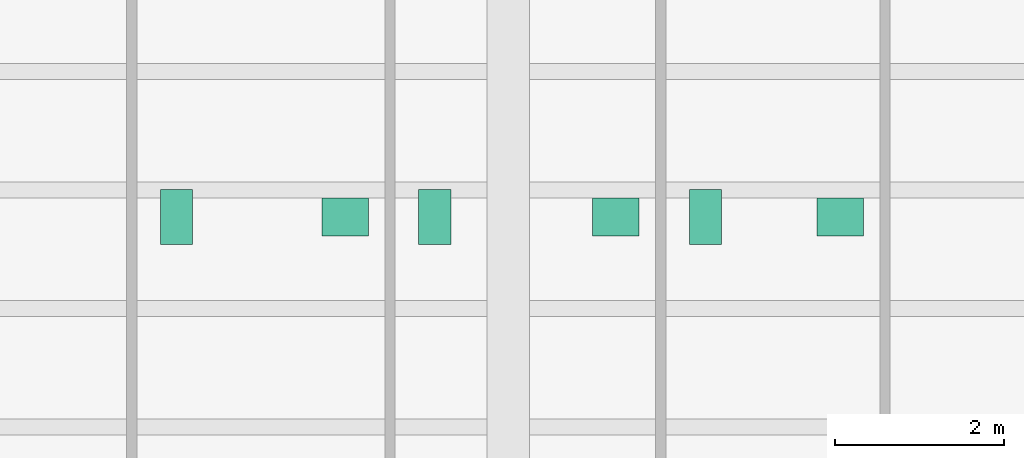
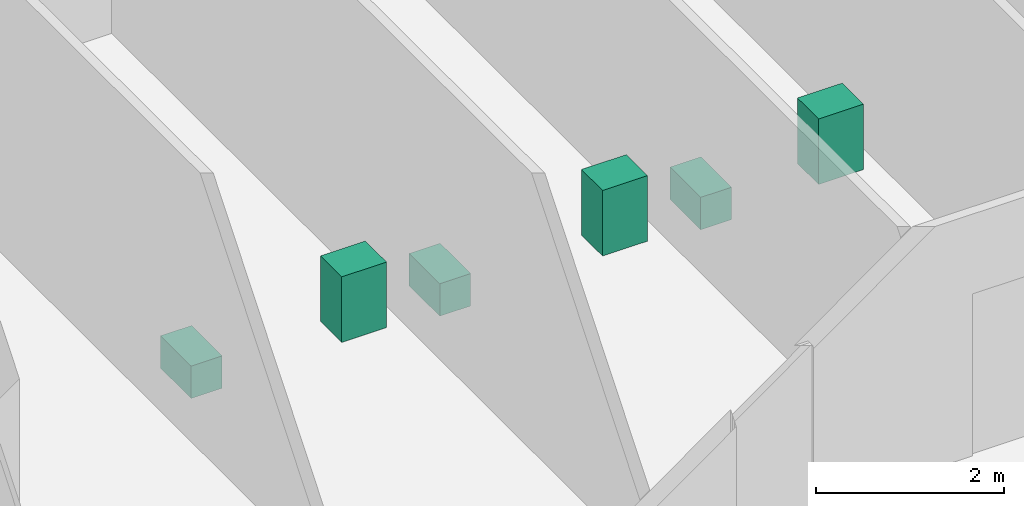
# One storey, part 10 of 10: 6 sanitary terminals.
"""IFC4 building model written with IfcOpenShell, lengths in metres."""

from ifc_helpers import new_model, si_unit, direction, frame, origin, origin_2d, place, context, subcontext, project, spatial, rectangle, extrude, material, type_object, element, save


model = new_model("IFC4")

# Units and contexts
model_context = context("Model", 3, precision=1e-05, world=origin(), true_north=direction((0.0, 1.0)))
body_context = subcontext(model_context, "Body", "Model", "MODEL_VIEW")
ifc_project = project(units=[si_unit("LENGTHUNIT", "METRE"), si_unit("AREAUNIT", "SQUARE_METRE"), si_unit("VOLUMEUNIT", "CUBIC_METRE"), si_unit("PLANEANGLEUNIT", "RADIAN"), si_unit("MASSUNIT", "GRAM", prefix="KILO")], contexts=[model_context])

# Site, building, storey
site_placement = place(None, origin())
site = spatial("IfcSite", under=ifc_project, at=site_placement, CompositionType="ELEMENT")
building_placement = place(site_placement, origin())
building = spatial("IfcBuilding", under=site, at=building_placement, Name="Kranthara Brick Stack", CompositionType="ELEMENT")
storey_placement = place(building_placement, frame((0.0, 0.0, 36.0)))
storey = spatial("IfcBuildingStorey", under=building, at=storey_placement, Name="L08", CompositionType="ELEMENT", Elevation=36.0)

# Sanitary terminals
ifc_material_1 = material(Name="Vitreous china sanitary porcelain", Category="other")
sanitary_terminal_type_1 = type_object("IfcSanitaryTerminalType", Name="SAN-BASIN", PredefinedType="WASHHANDBASIN", material=ifc_material_1)
for number, where, z_axis, x_axis, name in (
    (1, (26.070068359375, 29.985107421875, 0.0), (0.0, 0.0, 1.0), (1.0, 0.0, 0.0), "L08 Washbasin 22"),
    (2, (29.27001953125, 29.985107421875, 0.0), (0.0, 0.0, 1.0), (1.0, 0.0, 0.0), "L08 Washbasin 23"),
    (3, (31.919921875, 29.985107421875, 0.0), (0.0, 0.0, 1.0), (1.0, 0.0, 0.0), "L08 Washbasin 24"),
):
    element("IfcSanitaryTerminal", number, at=place(storey_placement, frame(where, z_axis=z_axis, x_axis=x_axis)), inside=storey, type_object=sanitary_terminal_type_1, Name=name, PredefinedType="WASHHANDBASIN", context=body_context, shape_type="SweptSolid", body=[
        extrude(rectangle(XDim=0.550048828125, YDim=0.449951171875, at=origin_2d()), origin(), (0.0, 0.0, 1.0), 0.85009765625),
    ])
ifc_material_2 = material(Name="Vitreous china sanitary porcelain", Category="other")
sanitary_terminal_type_2 = type_object("IfcSanitaryTerminalType", Name="SAN-WC-PAN", PredefinedType="TOILETPAN", material=ifc_material_2)
for number, where, z_axis, x_axis, name in (
    (4, (24.080078125, 29.985107421875, 0.0), (0.0, 0.0, 1.0), (1.0, 0.0, 0.0), "L08 WC Pan 22"),
    (5, (27.1298828125, 29.985107421875, 0.0), (0.0, 0.0, 1.0), (1.0, 0.0, 0.0), "L08 WC Pan 23"),
    (6, (30.330078125, 29.985107421875, 0.0), (0.0, 0.0, 1.0), (1.0, 0.0, 0.0), "L08 WC Pan 24"),
):
    element("IfcSanitaryTerminal", number, at=place(storey_placement, frame(where, z_axis=z_axis, x_axis=x_axis)), inside=storey, type_object=sanitary_terminal_type_2, Name=name, PredefinedType="TOILETPAN", context=body_context, shape_type="SweptSolid", body=[
        extrude(rectangle(XDim=0.3798828125, YDim=0.64990234375, at=origin_2d()), origin(), (0.0, 0.0, 1.0), 0.419921875),
    ])

save(model, "model.ifc")
